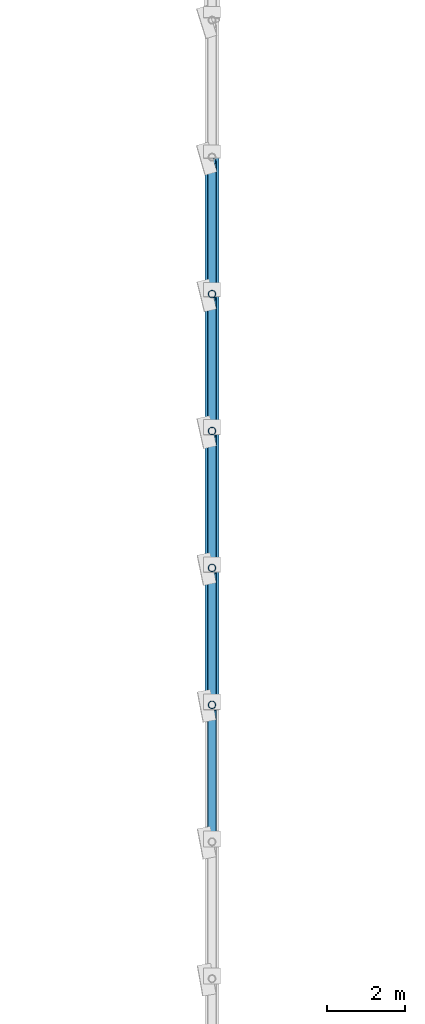
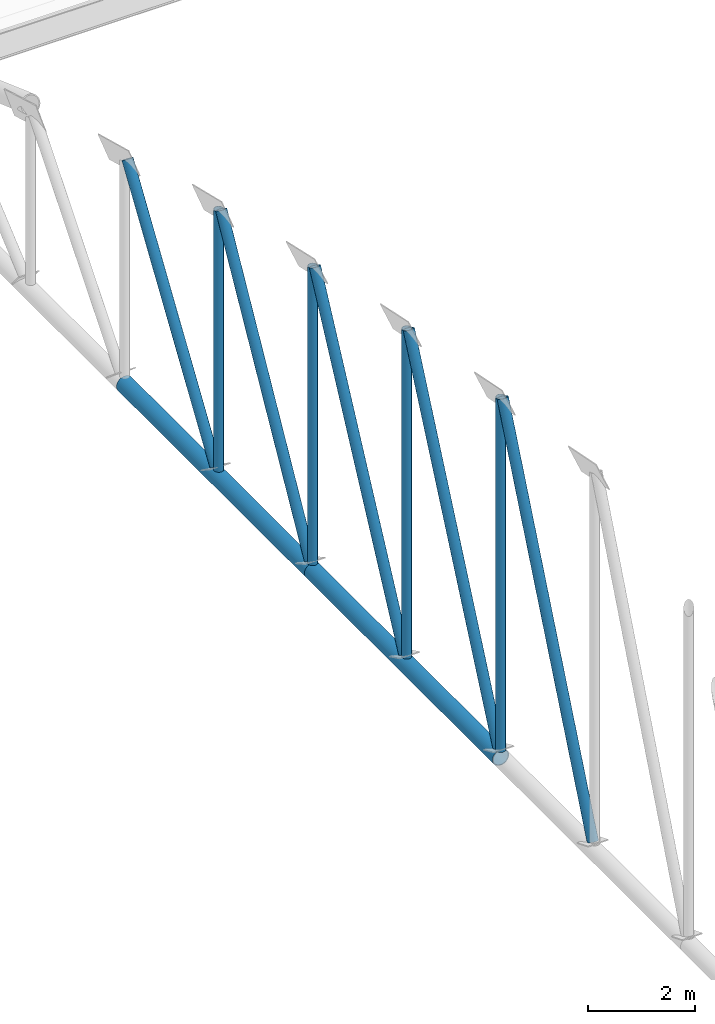
# One storey, part 65 of 196: 11 members.
"""IFC4 building model written with IfcOpenShell, lengths in metres."""

from ifc_helpers import new_model, si_unit, direction, frame, origin, origin_2d, place, context, subcontext, project, spatial, hollow_circle, extrude, material, material_profile, profile_set, type_object, element, save


model = new_model("IFC4")

# Units and contexts
model_context = context("Model", 3, precision=1e-05, world=origin(), true_north=direction((0.0, 1.0)))
body_context = subcontext(model_context, "Body", "Model", "MODEL_VIEW")
ifc_project = project(units=[si_unit("LENGTHUNIT", "METRE"), si_unit("AREAUNIT", "SQUARE_METRE"), si_unit("VOLUMEUNIT", "CUBIC_METRE"), si_unit("PLANEANGLEUNIT", "RADIAN"), si_unit("MASSUNIT", "GRAM", prefix="KILO")], contexts=[model_context])

# Site, building, storey
site_placement = place(None, origin())
site = spatial("IfcSite", under=ifc_project, at=site_placement, CompositionType="ELEMENT")
building_placement = place(site_placement, origin())
building = spatial("IfcBuilding", under=site, at=building_placement, Name="Okhra Congress Centre", CompositionType="ELEMENT")
storey_placement = place(building_placement, frame((0.0, 0.0, 12.0)))
storey = spatial("IfcBuildingStorey", under=building, at=storey_placement, Name="L02", CompositionType="ELEMENT", Elevation=12.0)

# Members
ifc_material = material(Name="Steel S355J2H", Category="steel")
ifc_material_profile_1 = material_profile(ifc_material, hollow_circle(Radius=0.096923828125, WallThickness=0.008056640625, at=origin_2d()), Name="CHS 193.7x8.0")
ifc_profile_set_1 = profile_set([ifc_material_profile_1], Name="Steel S355J2H")
member_type_1 = type_object("IfcMemberType", Name="CHS 193.7x8.0", PredefinedType="POST", material=ifc_profile_set_1)
member_1_placement = place(storey_placement, frame((46.0, 188.0, 1.577880859375), z_axis=(0.0, 0.0, 1.0), x_axis=(1.0, 0.0, 0.0)))
element("IfcMember", 1, at=member_1_placement, inside=storey, type_object=member_type_1, Name="EH.MEM.L02.T2-VER-16", PredefinedType="POST", context=body_context, shape_type="SweptSolid", body=[
    extrude(hollow_circle(Radius=0.096923828125, WallThickness=0.008056640625, at=origin_2d()), origin(), (0.0, 0.0, 1.0), 8.01708984375),
])
member_2_placement = place(storey_placement, frame((46.0, 191.5, 1.577880859375), z_axis=(0.0, 0.0, 1.0), x_axis=(1.0, 0.0, 0.0)))
element("IfcMember", 2, at=member_2_placement, inside=storey, type_object=member_type_1, Name="EH.MEM.L02.T2-VER-17", PredefinedType="POST", context=body_context, shape_type="SweptSolid", body=[
    extrude(hollow_circle(Radius=0.096923828125, WallThickness=0.008056640625, at=origin_2d()), origin(), (0.0, 0.0, 1.0), 7.448974609375),
])
member_3_placement = place(storey_placement, frame((46.0, 195.0, 1.577880859375), z_axis=(0.0, 0.0, 1.0), x_axis=(1.0, 0.0, 0.0)))
element("IfcMember", 3, at=member_3_placement, inside=storey, type_object=member_type_1, Name="EH.MEM.L02.T2-VER-18", PredefinedType="POST", context=body_context, shape_type="SweptSolid", body=[
    extrude(hollow_circle(Radius=0.096923828125, WallThickness=0.008056640625, at=origin_2d()), origin(), (0.0, 0.0, 1.0), 6.750244140625),
])
member_4_placement = place(storey_placement, frame((46.0, 198.5, 1.577880859375), z_axis=(0.0, 0.0, 1.0), x_axis=(1.0, 0.0, 0.0)))
element("IfcMember", 4, at=member_4_placement, inside=storey, type_object=member_type_1, Name="EH.MEM.L02.T2-VER-19", PredefinedType="POST", context=body_context, shape_type="SweptSolid", body=[
    extrude(hollow_circle(Radius=0.096923828125, WallThickness=0.008056640625, at=origin_2d()), origin(), (0.0, 0.0, 1.0), 5.917724609375),
])
ifc_material_profile_2 = material_profile(ifc_material, hollow_circle(Radius=0.109619140625, WallThickness=0.010009765625, at=origin_2d()), Name="CHS 219.1x10.0")
ifc_profile_set_2 = profile_set([ifc_material_profile_2], Name="Steel S355J2H")
member_type_2 = type_object("IfcMemberType", Name="CHS 219.1x10.0", PredefinedType="BRACE", material=ifc_profile_set_2)
member_5_placement = place(storey_placement, frame((46.0, 187.926513671875, 9.6240234375), z_axis=(0.0, -0.384613395842, -0.92307775173), x_axis=(1.0, 0.0, 0.0)))
element("IfcMember", 5, at=member_5_placement, inside=storey, type_object=member_type_2, Name="EH.MEM.L02.T2-DIA-15", PredefinedType="BRACE", context=body_context, shape_type="SweptSolid", body=[
    extrude(hollow_circle(Radius=0.109619140625, WallThickness=0.010009765625, at=origin_2d()), origin(), (0.0, 0.0, 1.0), 8.716552734375),
])
member_6_placement = place(storey_placement, frame((46.0, 191.42236328125, 9.0595703125), z_axis=(0.0, -0.407953800593, -0.913002572057), x_axis=(1.0, 0.0, 0.0)))
element("IfcMember", 6, at=member_6_placement, inside=storey, type_object=member_type_2, Name="EH.MEM.L02.T2-DIA-16", PredefinedType="BRACE", context=body_context, shape_type="SweptSolid", body=[
    extrude(hollow_circle(Radius=0.109619140625, WallThickness=0.010009765625, at=origin_2d()), origin(), (0.0, 0.0, 1.0), 8.194580078125),
])
member_7_placement = place(storey_placement, frame((46.0, 194.916259765625, 8.365234375), z_axis=(0.0, -0.440367038805, -0.897817838503), x_axis=(1.0, 0.0, 0.0)))
element("IfcMember", 7, at=member_7_placement, inside=storey, type_object=member_type_2, Name="EH.MEM.L02.T2-DIA-17", PredefinedType="BRACE", context=body_context, shape_type="SweptSolid", body=[
    extrude(hollow_circle(Radius=0.109619140625, WallThickness=0.010009765625, at=origin_2d()), origin(), (0.0, 0.0, 1.0), 7.559814453125),
])
member_8_placement = place(storey_placement, frame((46.0, 198.4072265625, 7.538330078125), z_axis=(0.0, -0.485332749729, -0.874329527147), x_axis=(1.0, 0.0, 0.0)))
element("IfcMember", 8, at=member_8_placement, inside=storey, type_object=member_type_2, Name="EH.MEM.L02.T2-DIA-18", PredefinedType="BRACE", context=body_context, shape_type="SweptSolid", body=[
    extrude(hollow_circle(Radius=0.109619140625, WallThickness=0.010009765625, at=origin_2d()), origin(), (0.0, 0.0, 1.0), 6.817138671875),
])
ifc_material_profile_3 = material_profile(ifc_material, hollow_circle(Radius=0.109619140625, WallThickness=0.012451171875, at=origin_2d()), Name="CHS 219.1x12.5")
ifc_profile_set_3 = profile_set([ifc_material_profile_3], Name="Steel S355J2H")
member_type_3 = type_object("IfcMemberType", Name="CHS 219.1x12.5", PredefinedType="BRACE", material=ifc_profile_set_3)
member_9_placement = place(storey_placement, frame((46.0, 201.89404296875, 6.576416015625), z_axis=(0.0, -0.548312008951, -0.836273843211), x_axis=(1.0, 0.0, 0.0)))
element("IfcMember", 9, at=member_9_placement, inside=storey, type_object=member_type_3, Name="EH.MEM.L02.T2-DIA-19", PredefinedType="BRACE", context=body_context, shape_type="SweptSolid", body=[
    extrude(hollow_circle(Radius=0.109619140625, WallThickness=0.012451171875, at=origin_2d()), origin(), (0.0, 0.0, 1.0), 5.97705078125),
])
ifc_material_profile_4 = material_profile(ifc_material, hollow_circle(Radius=0.177734375, WallThickness=0.01611328125, at=origin_2d()), Name="CHS 355.6x16.0")
ifc_profile_set_4 = profile_set([ifc_material_profile_4], Name="Steel S355J2H")
member_type_4 = type_object("IfcMemberType", Name="CHS 355.6x16.0", PredefinedType="CHORD", material=ifc_profile_set_4)
for number, where, z_axis, x_axis, name in (
    (10, (46.0, 188.0, 1.39990234375), (0.0, 1.0, 0.0), (-1.0, 0.0, 0.0), "EH.MEM.L02.T2-BOT-09"),
    (11, (46.0, 195.0, 1.39990234375), (0.0, 1.0, 0.0), (-1.0, 0.0, 0.0), "EH.MEM.L02.T2-BOT-10"),
):
    element("IfcMember", number, at=place(storey_placement, frame(where, z_axis=z_axis, x_axis=x_axis)), inside=storey, type_object=member_type_4, Name=name, PredefinedType="CHORD", context=body_context, shape_type="SweptSolid", body=[
        extrude(hollow_circle(Radius=0.177734375, WallThickness=0.01611328125, at=origin_2d()), origin(), (0.0, 0.0, 1.0), 7.0),
    ])

save(model, "model.ifc")
